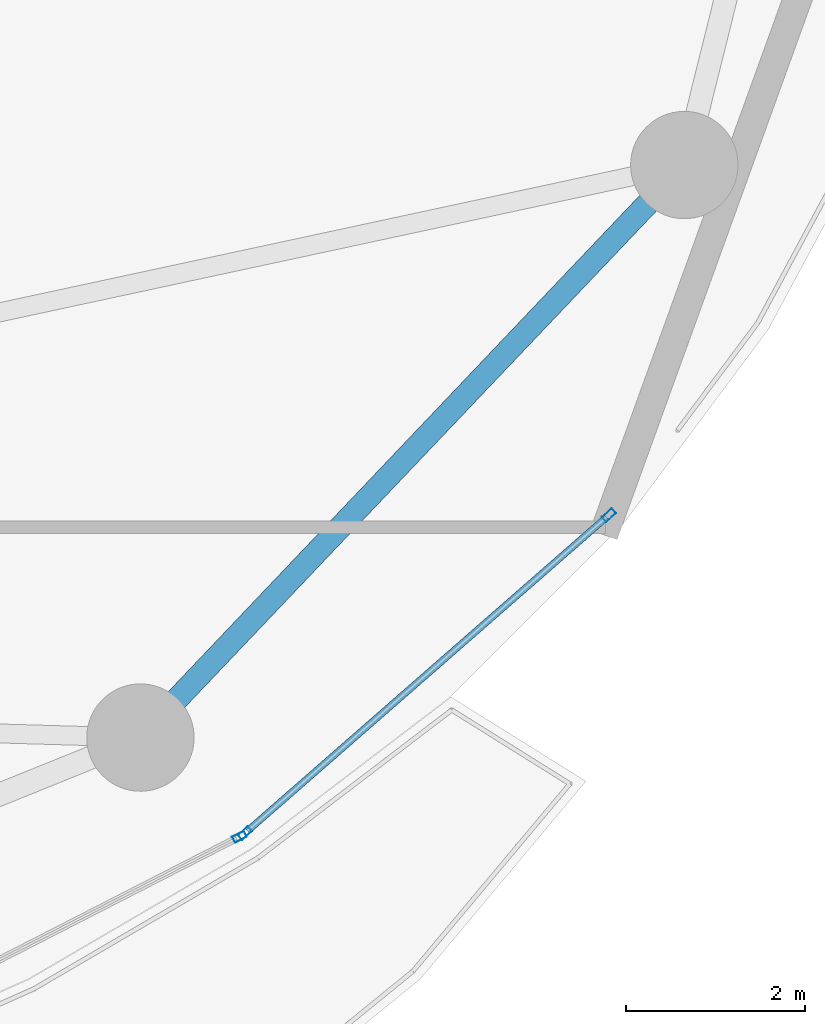
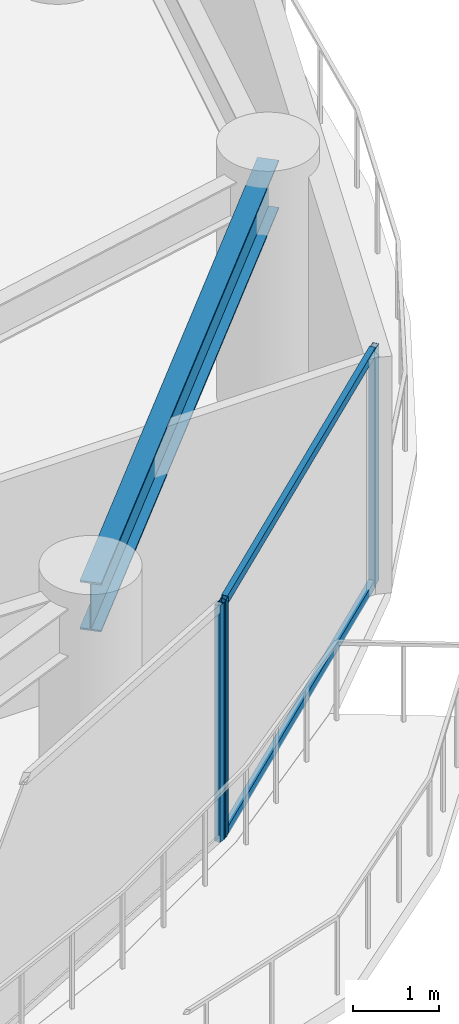
# One storey, part 13 of 30: 5 members, 1 beam, 2 elements without a shape of their own.
"""IFC4 building model written with IfcOpenShell, lengths in metres."""

from ifc_helpers import new_model, si_unit, direction, frame, origin, origin_2d, place, context, subcontext, project, spatial, hollow_rectangle, i_section, extrude, material, layer, layer_set, material_profile, profile_set, type_object, element, aggregate, save


model = new_model("IFC4")

# Units and contexts
model_context = context("Model", 3, precision=1e-05, world=origin(), true_north=direction((0.0, 1.0)))
body_context = subcontext(model_context, "Body", "Model", "MODEL_VIEW")
ifc_project = project(units=[si_unit("LENGTHUNIT", "METRE"), si_unit("AREAUNIT", "SQUARE_METRE"), si_unit("VOLUMEUNIT", "CUBIC_METRE"), si_unit("PLANEANGLEUNIT", "RADIAN"), si_unit("MASSUNIT", "GRAM", prefix="KILO")], contexts=[model_context])

# Site, building, storey
site_placement = place(None, origin())
site = spatial("IfcSite", under=ifc_project, at=site_placement, CompositionType="ELEMENT")
building_placement = place(site_placement, origin())
building = spatial("IfcBuilding", under=site, at=building_placement, Name="Kazevale Care Tower and Concert Hall", CompositionType="ELEMENT")
storey_placement = place(building_placement, frame((0.0, 0.0, 131.39990234375)))
storey = spatial("IfcBuildingStorey", under=building, at=storey_placement, Name="L34", CompositionType="ELEMENT", Elevation=131.39990234375)

# Curtain wall, members
ifc_material_1 = material(Name="Aluminium 6063-T6 and Low-E Glass", Category="aluminium")
ifc_layer = layer(ifc_material_1, 0.179931640625)
ifc_layer_set = layer_set([ifc_layer], Name="Aluminium 6063-T6 and Low-E Glass")
curtain_wall_type = type_object("IfcCurtainWallType", Name="Sheltered Concave Balcony Curtain Wall CW-5", PredefinedType="NOTDEFINED", material=ifc_layer_set)
curtain_wall_1_placement = place(storey_placement, origin())
curtain_wall_1 = element("IfcCurtainWall", 1, at=curtain_wall_1_placement, inside=storey, type_object=curtain_wall_type, Name="cw:L34:f02", PredefinedType="NOTDEFINED")
ifc_material_2 = material(Name="Aluminium 6063-T6", Category="aluminium")
ifc_material_profile_1 = material_profile(ifc_material_2, hollow_rectangle(XDim=0.074951171875, YDim=0.14990234375, WallThickness=0.00390625, at=origin_2d()), Name="ALU75x150x4")
ifc_profile_set_1 = profile_set([ifc_material_profile_1], Name="Aluminium 6063-T6")
member_type_1 = type_object("IfcMemberType", Name="CW-5 Mullion ALU75x150x4", PredefinedType="MULLION", material=ifc_profile_set_1)
member_1_placement = place(storey_placement, frame((70.06787109375, 25.477294921875, 0.0), z_axis=(0.0, 0.0, 1.0), x_axis=(0.657948668382, -0.753062779437, 0.0)))
member_1 = element("IfcMember", 2, at=member_1_placement, type_object=member_type_1, Name="CW-5 mullion 1", PredefinedType="MULLION", context=body_context, shape_type="SweptSolid", body=[
    extrude(hollow_rectangle(XDim=0.074951171875, YDim=0.14990234375, WallThickness=0.00390625, at=origin_2d()), origin(), (0.0, 0.0, 1.0), 3.360107421875),
])
member_2_placement = place(storey_placement, frame((65.999267578125, 21.922607421875, 0.0), z_axis=(0.0, 0.0, 1.0), x_axis=(0.657948668382, -0.753062779437, 0.0)))
member_2 = element("IfcMember", 3, at=member_2_placement, type_object=member_type_1, Name="CW-5 mullion 2", PredefinedType="MULLION", context=body_context, shape_type="SweptSolid", body=[
    extrude(hollow_rectangle(XDim=0.074951171875, YDim=0.14990234375, WallThickness=0.00390625, at=origin_2d()), origin(), (0.0, 0.0, 1.0), 3.360107421875),
])

# Curtain wall, member
curtain_wall_2_placement = place(storey_placement, origin())
curtain_wall_2 = element("IfcCurtainWall", 4, at=curtain_wall_2_placement, inside=storey, type_object=curtain_wall_type, Name="cw:L34:f03", PredefinedType="NOTDEFINED")
member_3_placement = place(storey_placement, frame((65.9375, 21.880859375, 0.0), z_axis=(0.0, 0.0, 1.0), x_axis=(0.455713236575, -0.890126646051, 0.0)))
member_3 = element("IfcMember", 5, at=member_3_placement, type_object=member_type_1, Name="CW-5 mullion 1", PredefinedType="MULLION", context=body_context, shape_type="SweptSolid", body=[
    extrude(hollow_rectangle(XDim=0.074951171875, YDim=0.14990234375, WallThickness=0.00390625, at=origin_2d()), origin(), (0.0, 0.0, 1.0), 3.360107421875),
])
aggregate(curtain_wall_2, [member_3])

# Member
ifc_material_profile_2 = material_profile(ifc_material_2, hollow_rectangle(XDim=0.074951171875, YDim=0.1201171875, WallThickness=0.00390625, at=origin_2d()), Name="ALU75x120x4")
ifc_profile_set_2 = profile_set([ifc_material_profile_2], Name="Aluminium 6063-T6")
member_type_2 = type_object("IfcMemberType", Name="CW-5 Transom ALU75x120x4", PredefinedType="USERDEFINED", material=ifc_profile_set_2)
member_4_placement = place(storey_placement, frame((70.03955078125, 25.45263671875, 0.03759765625), z_axis=(-0.753050570644, -0.657962641837, 0.0), x_axis=(0.657962641837, -0.753050570644, 0.0)))
member_4 = element("IfcMember", 6, at=member_4_placement, type_object=member_type_2, Name="CW-5 transom 1.1", ObjectType="TRANSOM", PredefinedType="USERDEFINED", context=body_context, shape_type="SweptSolid", body=[
    extrude(hollow_rectangle(XDim=0.074951171875, YDim=0.1201171875, WallThickness=0.00390625, at=origin_2d()), origin(), (0.0, 0.0, 1.0), 5.32763671875),
])

member_5_placement = place(storey_placement, frame((70.03955078125, 25.45263671875, 3.322509765625), z_axis=(-0.753050570644, -0.657962641837, 0.0), x_axis=(0.657962641837, -0.753050570644, 0.0)))
member_5 = element("IfcMember", 7, at=member_5_placement, type_object=member_type_2, Name="CW-5 transom 1.2", ObjectType="TRANSOM", PredefinedType="USERDEFINED", context=body_context, shape_type="SweptSolid", body=[
    extrude(hollow_rectangle(XDim=0.074951171875, YDim=0.1201171875, WallThickness=0.00390625, at=origin_2d()), origin(), (0.0, 0.0, 1.0), 5.32763671875),
])

aggregate(curtain_wall_1, [member_1, member_2, member_4, member_5])

# Beam
ifc_material_3 = material(Name="Steel ASTM A572 Gr 50", Category="steel")
ifc_material_profile_3 = material_profile(ifc_material_3, i_section(OverallWidth=0.256103515625, OverallDepth=0.693115234375, WebThickness=0.014404296875, FlangeThickness=0.023681640625, at=origin_2d()), Name="W690x170")
ifc_profile_set_3 = profile_set([ifc_material_profile_3], Name="Steel ASTM A572 Gr 50")
beam_type = type_object("IfcBeamType", Name="Waist Ring Beam W690x170", PredefinedType="BEAM", material=ifc_profile_set_3)
beam_placement = place(storey_placement, frame((64.830078125, 22.989990234375, 3.013671875), z_axis=(0.688745100728, 0.725003576697, 0.0), x_axis=(-0.725003576697, 0.688745100728, 0.0)))
element("IfcBeam", 8, at=beam_placement, inside=storey, type_object=beam_type, Name="beam:L34:ring:15", PredefinedType="BEAM", context=body_context, shape_type="SweptSolid", body=[
    extrude(i_section(OverallWidth=0.256103515625, OverallDepth=0.693115234375, WebThickness=0.014404296875, FlangeThickness=0.023681640625, at=origin_2d()), origin(), (0.0, 0.0, 1.0), 8.827392578125),
])

save(model, "model.ifc")
